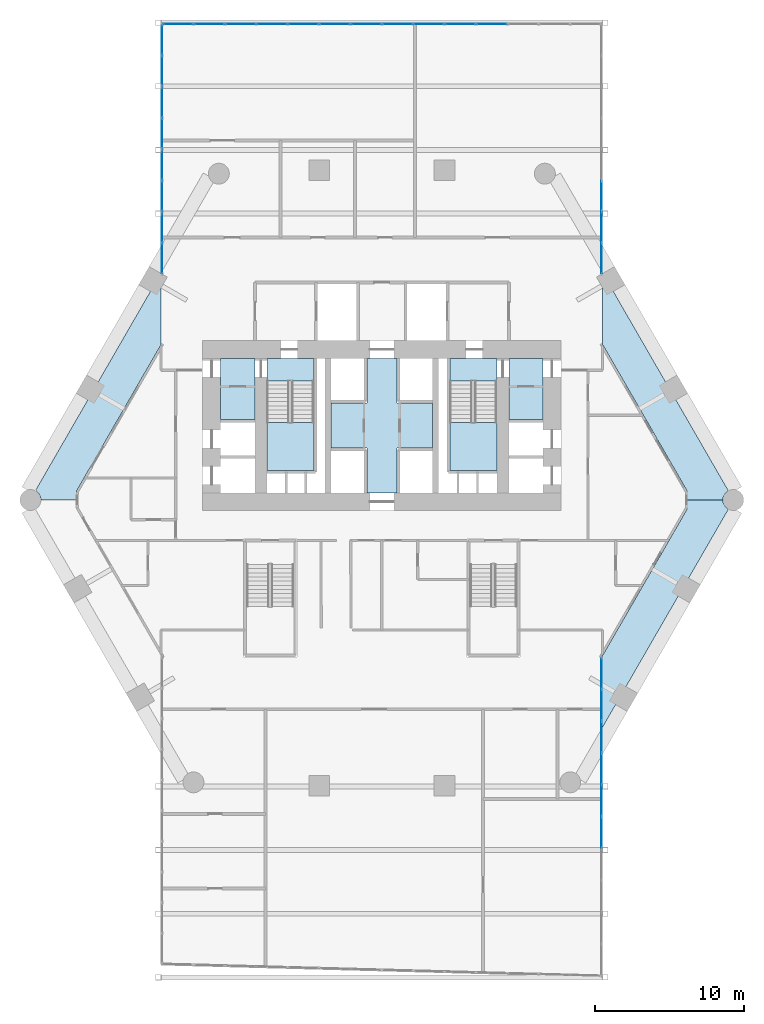
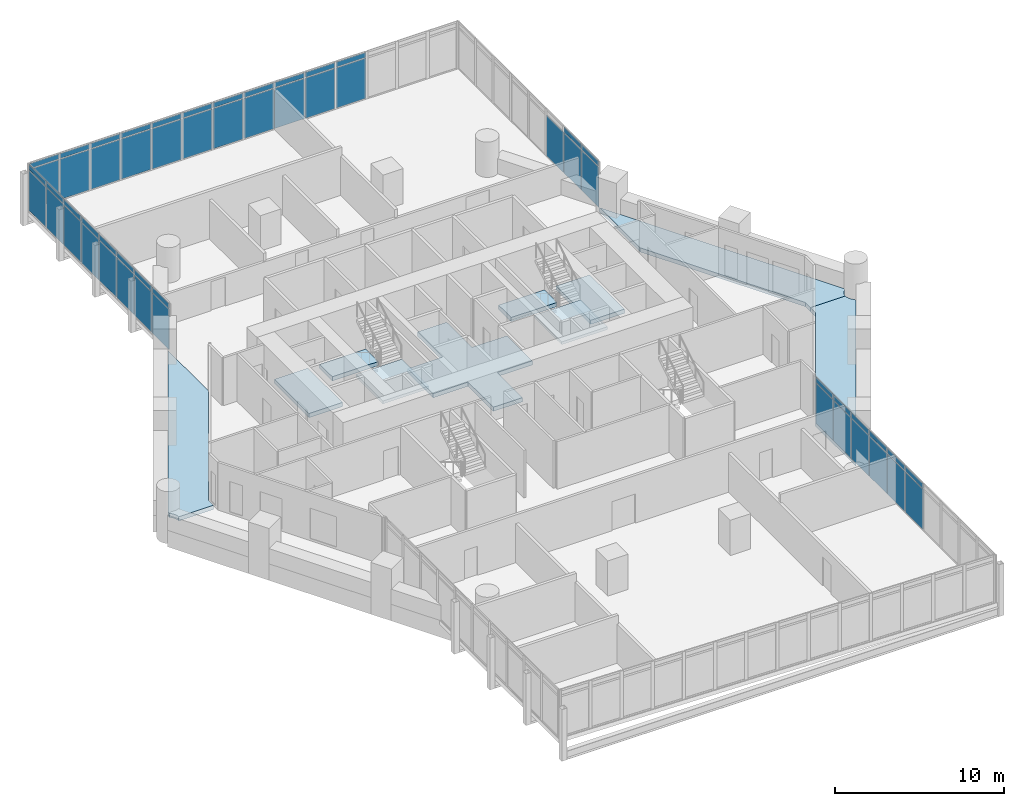
# One storey, part 21 of 28: 55 plates, 10 slabs, 6 elements without a shape of their own.
"""IFC4 building model written with IfcOpenShell, lengths in metres."""

from ifc_helpers import new_model, si_unit, direction, frame, origin, origin_2d, place, context, subcontext, project, spatial, polyline, rectangle, outline, extrude, material, layer, layer_set, type_object, element, aggregate, save


model = new_model("IFC4")

# Units and contexts
model_context = context("Model", 3, precision=1e-05, world=origin(), true_north=direction((0.0, 1.0)))
body_context = subcontext(model_context, "Body", "Model", "MODEL_VIEW")
ifc_project = project(units=[si_unit("LENGTHUNIT", "METRE"), si_unit("AREAUNIT", "SQUARE_METRE"), si_unit("VOLUMEUNIT", "CUBIC_METRE"), si_unit("PLANEANGLEUNIT", "RADIAN"), si_unit("MASSUNIT", "GRAM", prefix="KILO")], contexts=[model_context])

# Site, building, storey
site_placement = place(None, origin())
site = spatial("IfcSite", under=ifc_project, at=site_placement, CompositionType="ELEMENT")
building_placement = place(site_placement, origin())
building = spatial("IfcBuilding", under=site, at=building_placement, Name="Ostrander Bayou Hotel Tower", CompositionType="ELEMENT")
storey_placement = place(building_placement, frame((0.0, 0.0, 73.0)))
storey = spatial("IfcBuildingStorey", under=building, at=storey_placement, Name="L18", CompositionType="ELEMENT", Elevation=73.0)

# Curtain wall, plates
ifc_material_1 = material(Name="Aluminium and clear glass", Category="aluminium")
curtain_wall_type = type_object("IfcCurtainWallType", Name="CW-BAR glazed wall", PredefinedType="NOTDEFINED", material=ifc_material_1)
curtain_wall_1_placement = place(storey_placement, origin())
curtain_wall_1 = element("IfcCurtainWall", 1, at=curtain_wall_1_placement, inside=storey, type_object=curtain_wall_type, Name="CW-BAR L18:SB1S:W", PredefinedType="NOTDEFINED")
ifc_material_2 = material(Name="Clear laminated glass", Category="glass")
ifc_layer_1 = layer(ifc_material_2, 0.028076171875)
ifc_layer_set_1 = layer_set([ifc_layer_1], Name="CW-BR glazing panel 28 mm")
plate_type = type_object("IfcPlateType", Name="CW-BR glazing panel 28 mm", PredefinedType="CURTAIN_PANEL", material=ifc_layer_set_1)
plate_1_placement = place(storey_placement, frame((14.712158203125, -12.59912109375, 0.06005859375), z_axis=(0.0, 0.0, 1.0), x_axis=(0.0, -1.0, 0.0)))
plate_1 = element("IfcPlate", 2, at=plate_1_placement, type_object=plate_type, Name="CW-BAR panel 1.1", PredefinedType="CURTAIN_PANEL", context=body_context, shape_type="SweptSolid", body=[
    extrude(rectangle(XDim=2.04296875, YDim=0.028076171875, at=origin_2d()), origin(), (0.0, 0.0, 1.0), 2.909912109375),
])
plate_2_placement = place(storey_placement, frame((14.712158203125, -12.59912109375, 3.02978515625), z_axis=(0.0, 0.0, 1.0), x_axis=(0.0, -1.0, 0.0)))
plate_2 = element("IfcPlate", 3, at=plate_2_placement, type_object=plate_type, Name="CW-BAR panel 1.2", PredefinedType="CURTAIN_PANEL", context=body_context, shape_type="SweptSolid", body=[
    extrude(rectangle(XDim=2.04296875, YDim=0.028076171875, at=origin_2d()), origin(), (0.0, 0.0, 1.0), 0.360107421875),
])
plate_3_placement = place(storey_placement, frame((14.712158203125, -14.71728515625, 0.06005859375), z_axis=(0.0, 0.0, 1.0), x_axis=(0.0, -1.0, 0.0)))
plate_3 = element("IfcPlate", 4, at=plate_3_placement, type_object=plate_type, Name="CW-BAR panel 2.1", PredefinedType="CURTAIN_PANEL", context=body_context, shape_type="SweptSolid", body=[
    extrude(rectangle(XDim=2.072998046875, YDim=0.028076171875, at=origin_2d()), origin(), (0.0, 0.0, 1.0), 2.909912109375),
])
plate_4_placement = place(storey_placement, frame((14.712158203125, -14.71728515625, 3.02978515625), z_axis=(0.0, 0.0, 1.0), x_axis=(0.0, -1.0, 0.0)))
plate_4 = element("IfcPlate", 5, at=plate_4_placement, type_object=plate_type, Name="CW-BAR panel 2.2", PredefinedType="CURTAIN_PANEL", context=body_context, shape_type="SweptSolid", body=[
    extrude(rectangle(XDim=2.072998046875, YDim=0.028076171875, at=origin_2d()), origin(), (0.0, 0.0, 1.0), 0.360107421875),
])
plate_5_placement = place(storey_placement, frame((14.712158203125, -16.850341796875, 0.06005859375), z_axis=(0.0, 0.0, 1.0), x_axis=(0.0, -1.0, 0.0)))
plate_5 = element("IfcPlate", 6, at=plate_5_placement, type_object=plate_type, Name="CW-BAR panel 3.1", PredefinedType="CURTAIN_PANEL", context=body_context, shape_type="SweptSolid", body=[
    extrude(rectangle(XDim=2.072998046875, YDim=0.028076171875, at=origin_2d()), origin(), (0.0, 0.0, 1.0), 2.909912109375),
])
plate_6_placement = place(storey_placement, frame((14.712158203125, -16.850341796875, 3.02978515625), z_axis=(0.0, 0.0, 1.0), x_axis=(0.0, -1.0, 0.0)))
plate_6 = element("IfcPlate", 7, at=plate_6_placement, type_object=plate_type, Name="CW-BAR panel 3.2", PredefinedType="CURTAIN_PANEL", context=body_context, shape_type="SweptSolid", body=[
    extrude(rectangle(XDim=2.072998046875, YDim=0.028076171875, at=origin_2d()), origin(), (0.0, 0.0, 1.0), 0.360107421875),
])
plate_7_placement = place(storey_placement, frame((14.712158203125, -18.9833984375, 0.06005859375), z_axis=(0.0, 0.0, 1.0), x_axis=(0.0, -1.0, 0.0)))
plate_7 = element("IfcPlate", 8, at=plate_7_placement, type_object=plate_type, Name="CW-BAR panel 4.1", PredefinedType="CURTAIN_PANEL", context=body_context, shape_type="SweptSolid", body=[
    extrude(rectangle(XDim=2.072998046875, YDim=0.028076171875, at=origin_2d()), origin(), (0.0, 0.0, 1.0), 2.909912109375),
])
plate_8_placement = place(storey_placement, frame((14.712158203125, -18.9833984375, 3.02978515625), z_axis=(0.0, 0.0, 1.0), x_axis=(0.0, -1.0, 0.0)))
plate_8 = element("IfcPlate", 9, at=plate_8_placement, type_object=plate_type, Name="CW-BAR panel 4.2", PredefinedType="CURTAIN_PANEL", context=body_context, shape_type="SweptSolid", body=[
    extrude(rectangle(XDim=2.072998046875, YDim=0.028076171875, at=origin_2d()), origin(), (0.0, 0.0, 1.0), 0.360107421875),
])
plate_9_placement = place(storey_placement, frame((14.712158203125, -21.116455078125, 0.06005859375), z_axis=(0.0, 0.0, 1.0), x_axis=(0.0, -1.0, 0.0)))
plate_9 = element("IfcPlate", 10, at=plate_9_placement, type_object=plate_type, Name="CW-BAR panel 5.1", PredefinedType="CURTAIN_PANEL", context=body_context, shape_type="SweptSolid", body=[
    extrude(rectangle(XDim=2.072998046875, YDim=0.028076171875, at=origin_2d()), origin(), (0.0, 0.0, 1.0), 2.909912109375),
])
plate_10_placement = place(storey_placement, frame((14.712158203125, -21.116455078125, 3.02978515625), z_axis=(0.0, 0.0, 1.0), x_axis=(0.0, -1.0, 0.0)))
plate_10 = element("IfcPlate", 11, at=plate_10_placement, type_object=plate_type, Name="CW-BAR panel 5.2", PredefinedType="CURTAIN_PANEL", context=body_context, shape_type="SweptSolid", body=[
    extrude(rectangle(XDim=2.072998046875, YDim=0.028076171875, at=origin_2d()), origin(), (0.0, 0.0, 1.0), 0.360107421875),
])
plate_11_placement = place(storey_placement, frame((14.712158203125, -23.249267578125, 0.06005859375), z_axis=(0.0, 0.0, 1.0), x_axis=(0.0, -1.0, 0.0)))
plate_11 = element("IfcPlate", 12, at=plate_11_placement, type_object=plate_type, Name="CW-BAR panel 6.1", PredefinedType="CURTAIN_PANEL", context=body_context, shape_type="SweptSolid", body=[
    extrude(rectangle(XDim=2.072998046875, YDim=0.028076171875, at=origin_2d()), origin(), (0.0, 0.0, 1.0), 2.909912109375),
])
plate_12_placement = place(storey_placement, frame((14.712158203125, -23.249267578125, 3.02978515625), z_axis=(0.0, 0.0, 1.0), x_axis=(0.0, -1.0, 0.0)))
plate_12 = element("IfcPlate", 13, at=plate_12_placement, type_object=plate_type, Name="CW-BAR panel 6.2", PredefinedType="CURTAIN_PANEL", context=body_context, shape_type="SweptSolid", body=[
    extrude(rectangle(XDim=2.072998046875, YDim=0.028076171875, at=origin_2d()), origin(), (0.0, 0.0, 1.0), 0.360107421875),
])
aggregate(curtain_wall_1, [plate_1, plate_2, plate_3, plate_4, plate_5, plate_6, plate_7, plate_8, plate_9, plate_10, plate_11, plate_12])

curtain_wall_2_placement = place(storey_placement, origin())
curtain_wall_2 = element("IfcCurtainWall", 14, at=curtain_wall_2_placement, inside=storey, type_object=curtain_wall_type, Name="CW-BAR L18:SB1N:E", PredefinedType="NOTDEFINED")
plate_13_placement = place(storey_placement, frame((-14.712158203125, 15.2080078125, 0.06005859375), z_axis=(0.0, 0.0, 1.0), x_axis=(0.0, 1.0, 0.0)))
plate_13 = element("IfcPlate", 15, at=plate_13_placement, type_object=plate_type, Name="CW-BAR panel 1.1", PredefinedType="CURTAIN_PANEL", context=body_context, shape_type="SweptSolid", body=[
    extrude(rectangle(XDim=2.00244140625, YDim=0.028076171875, at=origin_2d()), origin(), (0.0, 0.0, 1.0), 2.909912109375),
])
plate_14_placement = place(storey_placement, frame((-14.712158203125, 15.2080078125, 3.02978515625), z_axis=(0.0, 0.0, 1.0), x_axis=(0.0, 1.0, 0.0)))
plate_14 = element("IfcPlate", 16, at=plate_14_placement, type_object=plate_type, Name="CW-BAR panel 1.2", PredefinedType="CURTAIN_PANEL", context=body_context, shape_type="SweptSolid", body=[
    extrude(rectangle(XDim=2.00244140625, YDim=0.028076171875, at=origin_2d()), origin(), (0.0, 0.0, 1.0), 0.360107421875),
])
plate_15_placement = place(storey_placement, frame((-14.712158203125, 17.285400390625, 0.06005859375), z_axis=(0.0, 0.0, 1.0), x_axis=(0.0, 1.0, 0.0)))
plate_15 = element("IfcPlate", 17, at=plate_15_placement, type_object=plate_type, Name="CW-BAR panel 2.1", PredefinedType="CURTAIN_PANEL", context=body_context, shape_type="SweptSolid", body=[
    extrude(rectangle(XDim=2.032470703125, YDim=0.028076171875, at=origin_2d()), origin(), (0.0, 0.0, 1.0), 2.909912109375),
])
plate_16_placement = place(storey_placement, frame((-14.712158203125, 17.285400390625, 3.02978515625), z_axis=(0.0, 0.0, 1.0), x_axis=(0.0, 1.0, 0.0)))
plate_16 = element("IfcPlate", 18, at=plate_16_placement, type_object=plate_type, Name="CW-BAR panel 2.2", PredefinedType="CURTAIN_PANEL", context=body_context, shape_type="SweptSolid", body=[
    extrude(rectangle(XDim=2.032470703125, YDim=0.028076171875, at=origin_2d()), origin(), (0.0, 0.0, 1.0), 0.360107421875),
])
plate_17_placement = place(storey_placement, frame((-14.712158203125, 19.3779296875, 0.06005859375), z_axis=(0.0, 0.0, 1.0), x_axis=(0.0, 1.0, 0.0)))
plate_17 = element("IfcPlate", 19, at=plate_17_placement, type_object=plate_type, Name="CW-BAR panel 3.1", PredefinedType="CURTAIN_PANEL", context=body_context, shape_type="SweptSolid", body=[
    extrude(rectangle(XDim=2.032470703125, YDim=0.028076171875, at=origin_2d()), origin(), (0.0, 0.0, 1.0), 2.909912109375),
])
plate_18_placement = place(storey_placement, frame((-14.712158203125, 19.3779296875, 3.02978515625), z_axis=(0.0, 0.0, 1.0), x_axis=(0.0, 1.0, 0.0)))
plate_18 = element("IfcPlate", 20, at=plate_18_placement, type_object=plate_type, Name="CW-BAR panel 3.2", PredefinedType="CURTAIN_PANEL", context=body_context, shape_type="SweptSolid", body=[
    extrude(rectangle(XDim=2.032470703125, YDim=0.028076171875, at=origin_2d()), origin(), (0.0, 0.0, 1.0), 0.360107421875),
])
plate_19_placement = place(storey_placement, frame((-14.712158203125, 21.47021484375, 0.06005859375), z_axis=(0.0, 0.0, 1.0), x_axis=(0.0, 1.0, 0.0)))
plate_19 = element("IfcPlate", 21, at=plate_19_placement, type_object=plate_type, Name="CW-BAR panel 4.1", PredefinedType="CURTAIN_PANEL", context=body_context, shape_type="SweptSolid", body=[
    extrude(rectangle(XDim=2.032470703125, YDim=0.028076171875, at=origin_2d()), origin(), (0.0, 0.0, 1.0), 2.909912109375),
])
plate_20_placement = place(storey_placement, frame((-14.712158203125, 21.47021484375, 3.02978515625), z_axis=(0.0, 0.0, 1.0), x_axis=(0.0, 1.0, 0.0)))
plate_20 = element("IfcPlate", 22, at=plate_20_placement, type_object=plate_type, Name="CW-BAR panel 4.2", PredefinedType="CURTAIN_PANEL", context=body_context, shape_type="SweptSolid", body=[
    extrude(rectangle(XDim=2.032470703125, YDim=0.028076171875, at=origin_2d()), origin(), (0.0, 0.0, 1.0), 0.360107421875),
])
plate_21_placement = place(storey_placement, frame((-14.712158203125, 23.562744140625, 0.06005859375), z_axis=(0.0, 0.0, 1.0), x_axis=(0.0, 1.0, 0.0)))
plate_21 = element("IfcPlate", 23, at=plate_21_placement, type_object=plate_type, Name="CW-BAR panel 5.1", PredefinedType="CURTAIN_PANEL", context=body_context, shape_type="SweptSolid", body=[
    extrude(rectangle(XDim=2.032470703125, YDim=0.028076171875, at=origin_2d()), origin(), (0.0, 0.0, 1.0), 2.909912109375),
])
plate_22_placement = place(storey_placement, frame((-14.712158203125, 23.562744140625, 3.02978515625), z_axis=(0.0, 0.0, 1.0), x_axis=(0.0, 1.0, 0.0)))
plate_22 = element("IfcPlate", 24, at=plate_22_placement, type_object=plate_type, Name="CW-BAR panel 5.2", PredefinedType="CURTAIN_PANEL", context=body_context, shape_type="SweptSolid", body=[
    extrude(rectangle(XDim=2.032470703125, YDim=0.028076171875, at=origin_2d()), origin(), (0.0, 0.0, 1.0), 0.360107421875),
])
plate_23_placement = place(storey_placement, frame((-14.712158203125, 25.655029296875, 0.06005859375), z_axis=(0.0, 0.0, 1.0), x_axis=(0.0, 1.0, 0.0)))
plate_23 = element("IfcPlate", 25, at=plate_23_placement, type_object=plate_type, Name="CW-BAR panel 6.1", PredefinedType="CURTAIN_PANEL", context=body_context, shape_type="SweptSolid", body=[
    extrude(rectangle(XDim=2.032470703125, YDim=0.028076171875, at=origin_2d()), origin(), (0.0, 0.0, 1.0), 2.909912109375),
])
plate_24_placement = place(storey_placement, frame((-14.712158203125, 25.655029296875, 3.02978515625), z_axis=(0.0, 0.0, 1.0), x_axis=(0.0, 1.0, 0.0)))
plate_24 = element("IfcPlate", 26, at=plate_24_placement, type_object=plate_type, Name="CW-BAR panel 6.2", PredefinedType="CURTAIN_PANEL", context=body_context, shape_type="SweptSolid", body=[
    extrude(rectangle(XDim=2.032470703125, YDim=0.028076171875, at=origin_2d()), origin(), (0.0, 0.0, 1.0), 0.360107421875),
])
plate_25_placement = place(storey_placement, frame((-14.712158203125, 27.74755859375, 0.06005859375), z_axis=(0.0, 0.0, 1.0), x_axis=(0.0, 1.0, 0.0)))
plate_25 = element("IfcPlate", 27, at=plate_25_placement, type_object=plate_type, Name="CW-BAR panel 7.1", PredefinedType="CURTAIN_PANEL", context=body_context, shape_type="SweptSolid", body=[
    extrude(rectangle(XDim=2.032470703125, YDim=0.028076171875, at=origin_2d()), origin(), (0.0, 0.0, 1.0), 2.909912109375),
])
plate_26_placement = place(storey_placement, frame((-14.712158203125, 27.74755859375, 3.02978515625), z_axis=(0.0, 0.0, 1.0), x_axis=(0.0, 1.0, 0.0)))
plate_26 = element("IfcPlate", 28, at=plate_26_placement, type_object=plate_type, Name="CW-BAR panel 7.2", PredefinedType="CURTAIN_PANEL", context=body_context, shape_type="SweptSolid", body=[
    extrude(rectangle(XDim=2.032470703125, YDim=0.028076171875, at=origin_2d()), origin(), (0.0, 0.0, 1.0), 0.360107421875),
])
plate_27_placement = place(storey_placement, frame((-14.712158203125, 29.824951171875, 0.06005859375), z_axis=(0.0, 0.0, 1.0), x_axis=(0.0, 1.0, 0.0)))
plate_27 = element("IfcPlate", 29, at=plate_27_placement, type_object=plate_type, Name="CW-BAR panel 8.1", PredefinedType="CURTAIN_PANEL", context=body_context, shape_type="SweptSolid", body=[
    extrude(rectangle(XDim=2.00244140625, YDim=0.028076171875, at=origin_2d()), origin(), (0.0, 0.0, 1.0), 2.909912109375),
])
plate_28_placement = place(storey_placement, frame((-14.712158203125, 29.824951171875, 3.02978515625), z_axis=(0.0, 0.0, 1.0), x_axis=(0.0, 1.0, 0.0)))
plate_28 = element("IfcPlate", 30, at=plate_28_placement, type_object=plate_type, Name="CW-BAR panel 8.2", PredefinedType="CURTAIN_PANEL", context=body_context, shape_type="SweptSolid", body=[
    extrude(rectangle(XDim=2.00244140625, YDim=0.028076171875, at=origin_2d()), origin(), (0.0, 0.0, 1.0), 0.360107421875),
])
aggregate(curtain_wall_2, [plate_13, plate_14, plate_15, plate_16, plate_17, plate_18, plate_19, plate_20, plate_21, plate_22, plate_23, plate_24, plate_25, plate_26, plate_27, plate_28])

curtain_wall_3_placement = place(storey_placement, origin())
curtain_wall_3 = element("IfcCurtainWall", 31, at=curtain_wall_3_placement, inside=storey, type_object=curtain_wall_type, Name="CW-BAR L18:SB1N:T", PredefinedType="NOTDEFINED")
plate_29_placement = place(storey_placement, frame((-13.646240234375, 30.88623046875, 0.06005859375), z_axis=(0.0, 0.0, 1.0), x_axis=(1.0, 0.0, 0.0)))
plate_29 = element("IfcPlate", 32, at=plate_29_placement, type_object=plate_type, Name="CW-BAR panel 1.1", PredefinedType="CURTAIN_PANEL", context=body_context, shape_type="SweptSolid", body=[
    extrude(rectangle(XDim=2.01171875, YDim=0.028076171875, at=origin_2d()), origin(), (0.0, 0.0, 1.0), 2.909912109375),
])
plate_30_placement = place(storey_placement, frame((-13.646240234375, 30.88623046875, 3.02978515625), z_axis=(0.0, 0.0, 1.0), x_axis=(1.0, 0.0, 0.0)))
plate_30 = element("IfcPlate", 33, at=plate_30_placement, type_object=plate_type, Name="CW-BAR panel 1.2", PredefinedType="CURTAIN_PANEL", context=body_context, shape_type="SweptSolid", body=[
    extrude(rectangle(XDim=2.01171875, YDim=0.028076171875, at=origin_2d()), origin(), (0.0, 0.0, 1.0), 0.360107421875),
])
plate_31_placement = place(storey_placement, frame((-11.5595703125, 30.88623046875, 0.06005859375), z_axis=(0.0, 0.0, 1.0), x_axis=(1.0, 0.0, 0.0)))
plate_31 = element("IfcPlate", 34, at=plate_31_placement, type_object=plate_type, Name="CW-BAR panel 2.1", PredefinedType="CURTAIN_PANEL", context=body_context, shape_type="SweptSolid", body=[
    extrude(rectangle(XDim=2.041748046875, YDim=0.028076171875, at=origin_2d()), origin(), (0.0, 0.0, 1.0), 2.909912109375),
])
plate_32_placement = place(storey_placement, frame((-11.5595703125, 30.88623046875, 3.02978515625), z_axis=(0.0, 0.0, 1.0), x_axis=(1.0, 0.0, 0.0)))
plate_32 = element("IfcPlate", 35, at=plate_32_placement, type_object=plate_type, Name="CW-BAR panel 2.2", PredefinedType="CURTAIN_PANEL", context=body_context, shape_type="SweptSolid", body=[
    extrude(rectangle(XDim=2.041748046875, YDim=0.028076171875, at=origin_2d()), origin(), (0.0, 0.0, 1.0), 0.360107421875),
])
plate_33_placement = place(storey_placement, frame((-9.457763671875, 30.88623046875, 0.06005859375), z_axis=(0.0, 0.0, 1.0), x_axis=(1.0, 0.0, 0.0)))
plate_33 = element("IfcPlate", 36, at=plate_33_placement, type_object=plate_type, Name="CW-BAR panel 3.1", PredefinedType="CURTAIN_PANEL", context=body_context, shape_type="SweptSolid", body=[
    extrude(rectangle(XDim=2.041748046875, YDim=0.028076171875, at=origin_2d()), origin(), (0.0, 0.0, 1.0), 2.909912109375),
])
plate_34_placement = place(storey_placement, frame((-9.457763671875, 30.88623046875, 3.02978515625), z_axis=(0.0, 0.0, 1.0), x_axis=(1.0, 0.0, 0.0)))
plate_34 = element("IfcPlate", 37, at=plate_34_placement, type_object=plate_type, Name="CW-BAR panel 3.2", PredefinedType="CURTAIN_PANEL", context=body_context, shape_type="SweptSolid", body=[
    extrude(rectangle(XDim=2.041748046875, YDim=0.028076171875, at=origin_2d()), origin(), (0.0, 0.0, 1.0), 0.360107421875),
])
plate_35_placement = place(storey_placement, frame((-7.356201171875, 30.88623046875, 0.06005859375), z_axis=(0.0, 0.0, 1.0), x_axis=(1.0, 0.0, 0.0)))
plate_35 = element("IfcPlate", 38, at=plate_35_placement, type_object=plate_type, Name="CW-BAR panel 4.1", PredefinedType="CURTAIN_PANEL", context=body_context, shape_type="SweptSolid", body=[
    extrude(rectangle(XDim=2.041748046875, YDim=0.028076171875, at=origin_2d()), origin(), (0.0, 0.0, 1.0), 2.909912109375),
])
plate_36_placement = place(storey_placement, frame((-7.356201171875, 30.88623046875, 3.02978515625), z_axis=(0.0, 0.0, 1.0), x_axis=(1.0, 0.0, 0.0)))
plate_36 = element("IfcPlate", 39, at=plate_36_placement, type_object=plate_type, Name="CW-BAR panel 4.2", PredefinedType="CURTAIN_PANEL", context=body_context, shape_type="SweptSolid", body=[
    extrude(rectangle(XDim=2.041748046875, YDim=0.028076171875, at=origin_2d()), origin(), (0.0, 0.0, 1.0), 0.360107421875),
])
plate_37_placement = place(storey_placement, frame((-5.25439453125, 30.88623046875, 0.06005859375), z_axis=(0.0, 0.0, 1.0), x_axis=(1.0, 0.0, 0.0)))
plate_37 = element("IfcPlate", 40, at=plate_37_placement, type_object=plate_type, Name="CW-BAR panel 5.1", PredefinedType="CURTAIN_PANEL", context=body_context, shape_type="SweptSolid", body=[
    extrude(rectangle(XDim=2.041748046875, YDim=0.028076171875, at=origin_2d()), origin(), (0.0, 0.0, 1.0), 2.909912109375),
])
plate_38_placement = place(storey_placement, frame((-5.25439453125, 30.88623046875, 3.02978515625), z_axis=(0.0, 0.0, 1.0), x_axis=(1.0, 0.0, 0.0)))
plate_38 = element("IfcPlate", 41, at=plate_38_placement, type_object=plate_type, Name="CW-BAR panel 5.2", PredefinedType="CURTAIN_PANEL", context=body_context, shape_type="SweptSolid", body=[
    extrude(rectangle(XDim=2.041748046875, YDim=0.028076171875, at=origin_2d()), origin(), (0.0, 0.0, 1.0), 0.360107421875),
])
plate_39_placement = place(storey_placement, frame((-3.152587890625, 30.88623046875, 0.06005859375), z_axis=(0.0, 0.0, 1.0), x_axis=(1.0, 0.0, 0.0)))
plate_39 = element("IfcPlate", 42, at=plate_39_placement, type_object=plate_type, Name="CW-BAR panel 6.1", PredefinedType="CURTAIN_PANEL", context=body_context, shape_type="SweptSolid", body=[
    extrude(rectangle(XDim=2.041748046875, YDim=0.028076171875, at=origin_2d()), origin(), (0.0, 0.0, 1.0), 2.909912109375),
])
plate_40_placement = place(storey_placement, frame((-3.152587890625, 30.88623046875, 3.02978515625), z_axis=(0.0, 0.0, 1.0), x_axis=(1.0, 0.0, 0.0)))
plate_40 = element("IfcPlate", 43, at=plate_40_placement, type_object=plate_type, Name="CW-BAR panel 6.2", PredefinedType="CURTAIN_PANEL", context=body_context, shape_type="SweptSolid", body=[
    extrude(rectangle(XDim=2.041748046875, YDim=0.028076171875, at=origin_2d()), origin(), (0.0, 0.0, 1.0), 0.360107421875),
])
plate_41_placement = place(storey_placement, frame((-1.05078125, 30.88623046875, 0.06005859375), z_axis=(0.0, 0.0, 1.0), x_axis=(1.0, 0.0, 0.0)))
plate_41 = element("IfcPlate", 44, at=plate_41_placement, type_object=plate_type, Name="CW-BAR panel 7.1", PredefinedType="CURTAIN_PANEL", context=body_context, shape_type="SweptSolid", body=[
    extrude(rectangle(XDim=2.041748046875, YDim=0.028076171875, at=origin_2d()), origin(), (0.0, 0.0, 1.0), 2.909912109375),
])
plate_42_placement = place(storey_placement, frame((-1.05078125, 30.88623046875, 3.02978515625), z_axis=(0.0, 0.0, 1.0), x_axis=(1.0, 0.0, 0.0)))
plate_42 = element("IfcPlate", 45, at=plate_42_placement, type_object=plate_type, Name="CW-BAR panel 7.2", PredefinedType="CURTAIN_PANEL", context=body_context, shape_type="SweptSolid", body=[
    extrude(rectangle(XDim=2.041748046875, YDim=0.028076171875, at=origin_2d()), origin(), (0.0, 0.0, 1.0), 0.360107421875),
])
plate_43_placement = place(storey_placement, frame((1.05078125, 30.88623046875, 0.06005859375), z_axis=(0.0, 0.0, 1.0), x_axis=(1.0, 0.0, 0.0)))
plate_43 = element("IfcPlate", 46, at=plate_43_placement, type_object=plate_type, Name="CW-BAR panel 8.1", PredefinedType="CURTAIN_PANEL", context=body_context, shape_type="SweptSolid", body=[
    extrude(rectangle(XDim=2.041748046875, YDim=0.028076171875, at=origin_2d()), origin(), (0.0, 0.0, 1.0), 2.909912109375),
])
plate_44_placement = place(storey_placement, frame((1.05078125, 30.88623046875, 3.02978515625), z_axis=(0.0, 0.0, 1.0), x_axis=(1.0, 0.0, 0.0)))
plate_44 = element("IfcPlate", 47, at=plate_44_placement, type_object=plate_type, Name="CW-BAR panel 8.2", PredefinedType="CURTAIN_PANEL", context=body_context, shape_type="SweptSolid", body=[
    extrude(rectangle(XDim=2.041748046875, YDim=0.028076171875, at=origin_2d()), origin(), (0.0, 0.0, 1.0), 0.360107421875),
])
plate_45_placement = place(storey_placement, frame((3.152587890625, 30.88623046875, 0.06005859375), z_axis=(0.0, 0.0, 1.0), x_axis=(1.0, 0.0, 0.0)))
plate_45 = element("IfcPlate", 48, at=plate_45_placement, type_object=plate_type, Name="CW-BAR panel 9.1", PredefinedType="CURTAIN_PANEL", context=body_context, shape_type="SweptSolid", body=[
    extrude(rectangle(XDim=2.041748046875, YDim=0.028076171875, at=origin_2d()), origin(), (0.0, 0.0, 1.0), 2.909912109375),
])
plate_46_placement = place(storey_placement, frame((3.152587890625, 30.88623046875, 3.02978515625), z_axis=(0.0, 0.0, 1.0), x_axis=(1.0, 0.0, 0.0)))
plate_46 = element("IfcPlate", 49, at=plate_46_placement, type_object=plate_type, Name="CW-BAR panel 9.2", PredefinedType="CURTAIN_PANEL", context=body_context, shape_type="SweptSolid", body=[
    extrude(rectangle(XDim=2.041748046875, YDim=0.028076171875, at=origin_2d()), origin(), (0.0, 0.0, 1.0), 0.360107421875),
])
plate_47_placement = place(storey_placement, frame((5.25439453125, 30.88623046875, 0.06005859375), z_axis=(0.0, 0.0, 1.0), x_axis=(1.0, 0.0, 0.0)))
plate_47 = element("IfcPlate", 50, at=plate_47_placement, type_object=plate_type, Name="CW-BAR panel 10.1", PredefinedType="CURTAIN_PANEL", context=body_context, shape_type="SweptSolid", body=[
    extrude(rectangle(XDim=2.041748046875, YDim=0.028076171875, at=origin_2d()), origin(), (0.0, 0.0, 1.0), 2.909912109375),
])
plate_48_placement = place(storey_placement, frame((5.25439453125, 30.88623046875, 3.02978515625), z_axis=(0.0, 0.0, 1.0), x_axis=(1.0, 0.0, 0.0)))
plate_48 = element("IfcPlate", 51, at=plate_48_placement, type_object=plate_type, Name="CW-BAR panel 10.2", PredefinedType="CURTAIN_PANEL", context=body_context, shape_type="SweptSolid", body=[
    extrude(rectangle(XDim=2.041748046875, YDim=0.028076171875, at=origin_2d()), origin(), (0.0, 0.0, 1.0), 0.360107421875),
])
plate_49_placement = place(storey_placement, frame((7.356201171875, 30.88623046875, 0.06005859375), z_axis=(0.0, 0.0, 1.0), x_axis=(1.0, 0.0, 0.0)))
plate_49 = element("IfcPlate", 52, at=plate_49_placement, type_object=plate_type, Name="CW-BAR panel 11.1", PredefinedType="CURTAIN_PANEL", context=body_context, shape_type="SweptSolid", body=[
    extrude(rectangle(XDim=2.041748046875, YDim=0.028076171875, at=origin_2d()), origin(), (0.0, 0.0, 1.0), 2.909912109375),
])
plate_50_placement = place(storey_placement, frame((7.356201171875, 30.88623046875, 3.02978515625), z_axis=(0.0, 0.0, 1.0), x_axis=(1.0, 0.0, 0.0)))
plate_50 = element("IfcPlate", 53, at=plate_50_placement, type_object=plate_type, Name="CW-BAR panel 11.2", PredefinedType="CURTAIN_PANEL", context=body_context, shape_type="SweptSolid", body=[
    extrude(rectangle(XDim=2.041748046875, YDim=0.028076171875, at=origin_2d()), origin(), (0.0, 0.0, 1.0), 0.360107421875),
])
aggregate(curtain_wall_3, [plate_29, plate_30, plate_31, plate_32, plate_33, plate_34, plate_35, plate_36, plate_37, plate_38, plate_39, plate_40, plate_41, plate_42, plate_43, plate_44, plate_45, plate_46, plate_47, plate_48, plate_49, plate_50])

curtain_wall_4_placement = place(storey_placement, origin())
curtain_wall_4 = element("IfcCurtainWall", 54, at=curtain_wall_4_placement, inside=storey, type_object=curtain_wall_type, Name="CW-BAR L18:SB1N:W", PredefinedType="NOTDEFINED")
plate_51_placement = place(storey_placement, frame((14.712158203125, 15.2080078125, 0.06005859375), z_axis=(0.0, 0.0, 1.0), x_axis=(0.0, 1.0, 0.0)))
plate_51 = element("IfcPlate", 55, at=plate_51_placement, type_object=plate_type, Name="CW-BAR panel 1.1", PredefinedType="CURTAIN_PANEL", context=body_context, shape_type="SweptSolid", body=[
    extrude(rectangle(XDim=2.00244140625, YDim=0.028076171875, at=origin_2d()), origin(), (0.0, 0.0, 1.0), 2.909912109375),
])
plate_52_placement = place(storey_placement, frame((14.712158203125, 15.2080078125, 3.02978515625), z_axis=(0.0, 0.0, 1.0), x_axis=(0.0, 1.0, 0.0)))
plate_52 = element("IfcPlate", 56, at=plate_52_placement, type_object=plate_type, Name="CW-BAR panel 1.2", PredefinedType="CURTAIN_PANEL", context=body_context, shape_type="SweptSolid", body=[
    extrude(rectangle(XDim=2.00244140625, YDim=0.028076171875, at=origin_2d()), origin(), (0.0, 0.0, 1.0), 0.360107421875),
])
plate_53_placement = place(storey_placement, frame((14.712158203125, 17.285400390625, 0.06005859375), z_axis=(0.0, 0.0, 1.0), x_axis=(0.0, 1.0, 0.0)))
plate_53 = element("IfcPlate", 57, at=plate_53_placement, type_object=plate_type, Name="CW-BAR panel 2.1", PredefinedType="CURTAIN_PANEL", context=body_context, shape_type="SweptSolid", body=[
    extrude(rectangle(XDim=2.032470703125, YDim=0.028076171875, at=origin_2d()), origin(), (0.0, 0.0, 1.0), 2.909912109375),
])
plate_54_placement = place(storey_placement, frame((14.712158203125, 17.285400390625, 3.02978515625), z_axis=(0.0, 0.0, 1.0), x_axis=(0.0, 1.0, 0.0)))
plate_54 = element("IfcPlate", 58, at=plate_54_placement, type_object=plate_type, Name="CW-BAR panel 2.2", PredefinedType="CURTAIN_PANEL", context=body_context, shape_type="SweptSolid", body=[
    extrude(rectangle(XDim=2.032470703125, YDim=0.028076171875, at=origin_2d()), origin(), (0.0, 0.0, 1.0), 0.360107421875),
])
plate_55_placement = place(storey_placement, frame((14.712158203125, 19.3779296875, 0.06005859375), z_axis=(0.0, 0.0, 1.0), x_axis=(0.0, 1.0, 0.0)))
plate_55 = element("IfcPlate", 59, at=plate_55_placement, type_object=plate_type, Name="CW-BAR panel 3.1", PredefinedType="CURTAIN_PANEL", context=body_context, shape_type="SweptSolid", body=[
    extrude(rectangle(XDim=2.032470703125, YDim=0.028076171875, at=origin_2d()), origin(), (0.0, 0.0, 1.0), 2.909912109375),
])
aggregate(curtain_wall_4, [plate_51, plate_52, plate_53, plate_54, plate_55])

# Slabs
ifc_material_3 = material(Name="Concrete f'c 40 MPa", Category="concrete")
ifc_layer_2 = layer(ifc_material_3, 0.300048828125)
ifc_layer_set_2 = layer_set([ifc_layer_2], Name="SL1 floor slab 300 mm f'c 40 MPa")
slab_type_1 = type_object("IfcSlabType", Name="SL1 floor slab 300 mm f'c 40 MPa", PredefinedType="FLOOR", material=ifc_layer_set_2)
slab_1_placement = place(storey_placement, frame((0.0, 0.0, -0.300048828125)))
element("IfcSlab", 60, at=slab_1_placement, inside=storey, type_object=slab_type_1, Name="cslab:L18:001", PredefinedType="FLOOR", context=body_context, shape_type="SweptSolid", body=[
    extrude(outline(polyline([(-3.39990234375, 5.5), (-1.0, 5.5), (-1.0, 8.5), (1.0, 8.5), (1.0, 5.5), (3.39990234375, 5.5), (3.39990234375, 2.5), (1.0, 2.5), (1.0, -0.5), (-1.0, -0.5), (-1.0, 2.5), (-3.39990234375, 2.5), (-3.39990234375, 5.5)])), origin(), (0.0, 0.0, 1.0), 0.300048828125),
])
slab_2_placement = place(storey_placement, frame((0.0, 0.0, -0.300048828125)))
element("IfcSlab", 61, at=slab_2_placement, inside=storey, type_object=slab_type_1, Name="cslab:L18:002", PredefinedType="FLOOR", context=body_context, shape_type="SweptSolid", body=[
    extrude(outline(polyline([(-8.5, 4.39990234375), (-8.5, 8.5), (-10.800048828125, 8.5), (-10.800048828125, 4.39990234375), (-8.5, 4.39990234375)])), origin(), (0.0, 0.0, 1.0), 0.300048828125),
])
slab_3_placement = place(storey_placement, frame((0.0, 0.0, -0.300048828125)))
element("IfcSlab", 62, at=slab_3_placement, inside=storey, type_object=slab_type_1, Name="cslab:L18:003", PredefinedType="FLOOR", context=body_context, shape_type="SweptSolid", body=[
    extrude(outline(polyline([(10.800048828125, 4.39990234375), (10.800048828125, 8.5), (8.5, 8.5), (8.5, 4.39990234375), (10.800048828125, 4.39990234375)])), origin(), (0.0, 0.0, 1.0), 0.300048828125),
])
slab_4_placement = place(storey_placement, frame((0.0, 0.0, -0.300048828125)))
element("IfcSlab", 63, at=slab_4_placement, inside=storey, type_object=slab_type_1, Name="cslab:L18:004", PredefinedType="FLOOR", context=body_context, shape_type="SweptSolid", body=[
    extrude(outline(polyline([(-4.550048828125, 7.0), (-4.550048828125, 8.5), (-7.699951171875, 8.5), (-7.699951171875, 7.0), (-4.550048828125, 7.0)])), origin(), (0.0, 0.0, 1.0), 0.300048828125),
])
slab_5_placement = place(storey_placement, frame((0.0, 0.0, -0.300048828125)))
element("IfcSlab", 64, at=slab_5_placement, inside=storey, type_object=slab_type_1, Name="cslab:L18:005", PredefinedType="FLOOR", context=body_context, shape_type="SweptSolid", body=[
    extrude(outline(polyline([(7.699951171875, 7.0), (7.699951171875, 8.5), (4.550048828125, 8.5), (4.550048828125, 7.0), (7.699951171875, 7.0)])), origin(), (0.0, 0.0, 1.0), 0.300048828125),
])
ifc_material_4 = material(Name="Concrete f'c 40 MPa", Category="concrete")
ifc_layer_3 = layer(ifc_material_4, 0.300048828125)
ifc_layer_set_3 = layer_set([ifc_layer_3], Name="SL4 loggia slab 300 mm f'c 40 MPa")
slab_type_2 = type_object("IfcSlabType", Name="SL4 loggia slab 300 mm f'c 40 MPa", PredefinedType="FLOOR", material=ifc_layer_set_3)
slab_6_placement = place(storey_placement, frame((0.0, 0.0, -0.300048828125)))
element("IfcSlab", 65, at=slab_6_placement, inside=storey, type_object=slab_type_2, Name="SL4 LOGGIA L18 NW 1", PredefinedType="FLOOR", context=body_context, shape_type="SweptSolid", body=[
    extrude(outline(polyline([(-20.448486328125, -0.3818359375), (-20.448486328125, -0.98193359375), (-22.834228515625, -0.98193359375), (-22.84765625, -0.84521484375), (-22.8876953125, -0.714111328125), (-22.952392578125, -0.593017578125), (-23.039306640625, -0.48681640625), (-23.13330078125, -0.409912109375), (-23.13330078125, -0.23193359375), (-14.81689453125, 14.172607421875), (-14.787109375, 14.22412109375), (-14.787109375, 9.424072265625), (-20.448486328125, -0.3818359375)])), origin(), (0.0, 0.0, 1.0), 0.300048828125),
])
slab_7_placement = place(storey_placement, frame((0.0, 0.0, -0.300048828125)))
element("IfcSlab", 66, at=slab_7_placement, inside=storey, type_object=slab_type_2, Name="SL4 LOGGIA L18 SE 1", PredefinedType="FLOOR", context=body_context, shape_type="SweptSolid", body=[
    extrude(outline(polyline([(16.337158203125, -13.503173828125), (15.667236328125, -14.66357421875), (14.787109375, -16.187744140625), (14.787109375, -11.3876953125), (20.448486328125, -1.581787109375), (20.448486328125, -0.98193359375), (22.834228515625, -0.98193359375), (22.84765625, -1.118408203125), (22.8876953125, -1.249755859375), (22.952392578125, -1.370849609375), (23.039306640625, -1.476806640625), (23.13330078125, -1.553955078125), (23.13330078125, -1.73193359375), (20.53271484375, -6.236328125), (19.862548828125, -7.39697265625), (16.337158203125, -13.503173828125)])), origin(), (0.0, 0.0, 1.0), 0.300048828125),
])
slab_8_placement = place(storey_placement, frame((0.0, 0.0, -0.300048828125)))
element("IfcSlab", 67, at=slab_8_placement, inside=storey, type_object=slab_type_2, Name="SL4 LOGGIA L18 NE 1", PredefinedType="FLOOR", context=body_context, shape_type="SweptSolid", body=[
    extrude(outline(polyline([(14.787109375, 14.22412109375), (14.81689453125, 14.172607421875), (16.919189453125, 10.531494140625), (19.01220703125, 6.906005859375), (19.682373046875, 5.74560546875), (23.13330078125, -0.23193359375), (23.13330078125, -0.409912109375), (23.039306640625, -0.48681640625), (22.952392578125, -0.593017578125), (22.8876953125, -0.714111328125), (22.84765625, -0.84521484375), (22.834228515625, -0.98193359375), (20.448486328125, -0.98193359375), (20.448486328125, -0.3818359375), (14.787109375, 9.424072265625), (14.787109375, 14.22412109375)])), origin(), (0.0, 0.0, 1.0), 0.300048828125),
])

# Stair, slab
ifc_material_5 = material(Name="Concrete f'c 45 MPa", Category="concrete")
stair_type = type_object("IfcStairType", Name="ST1 exit stair 1500 mm f'c 45 MPa", PredefinedType="HALF_TURN_STAIR", material=ifc_material_5)
stair_1_placement = place(storey_placement, origin())
stair_1 = element("IfcStair", 68, at=stair_1_placement, inside=storey, type_object=stair_type, Name="L18 exit stair A", PredefinedType="HALF_TURN_STAIR")
ifc_material_6 = material(Name="Concrete f'c 45 MPa", Category="concrete")
ifc_layer_4 = layer(ifc_material_6, 0.199951171875)
ifc_layer_set_4 = layer_set([ifc_layer_4], Name="SL8 stair landing 200 mm f'c 45 MPa")
slab_type_3 = type_object("IfcSlabType", Name="SL8 stair landing 200 mm f'c 45 MPa", PredefinedType="LANDING", material=ifc_layer_set_4)
slab_9_placement = place(storey_placement, frame((0.0, 0.0, 1.675048828125)))
slab_9 = element("IfcSlab", 69, at=slab_9_placement, type_object=slab_type_3, Name="STA landing 1", PredefinedType="LANDING", context=body_context, shape_type="SweptSolid", body=[
    extrude(outline(polyline([(-7.699951171875, 4.199951171875), (-7.699951171875, 1.0), (-4.550048828125, 1.0), (-4.550048828125, 4.199951171875), (-7.699951171875, 4.199951171875)])), origin(), (0.0, 0.0, 1.0), 0.199951171875),
])
aggregate(stair_1, [slab_9])

stair_2_placement = place(storey_placement, origin())
stair_2 = element("IfcStair", 70, at=stair_2_placement, inside=storey, type_object=stair_type, Name="L18 exit stair B", PredefinedType="HALF_TURN_STAIR")
slab_10_placement = place(storey_placement, frame((0.0, 0.0, 1.675048828125)))
slab_10 = element("IfcSlab", 71, at=slab_10_placement, type_object=slab_type_3, Name="STB landing 1", PredefinedType="LANDING", context=body_context, shape_type="SweptSolid", body=[
    extrude(outline(polyline([(4.550048828125, 4.199951171875), (4.550048828125, 1.0), (7.699951171875, 1.0), (7.699951171875, 4.199951171875), (4.550048828125, 4.199951171875)])), origin(), (0.0, 0.0, 1.0), 0.199951171875),
])
aggregate(stair_2, [slab_10])

save(model, "model.ifc")
